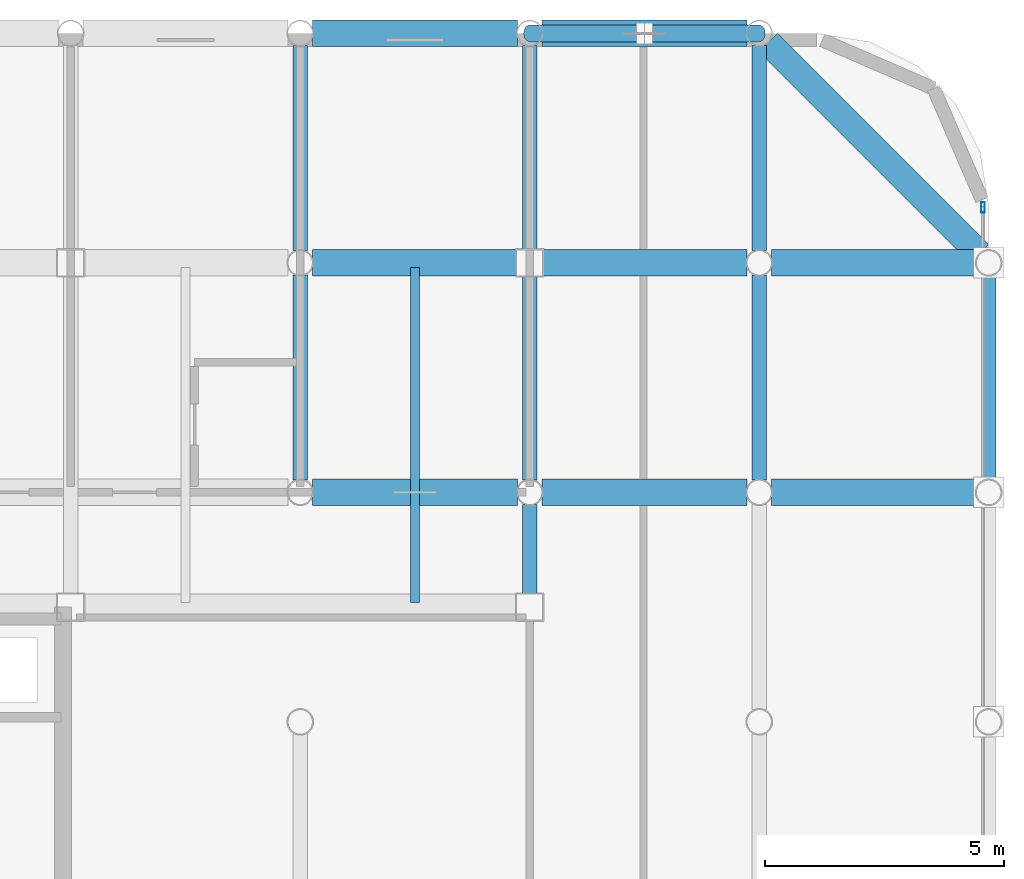
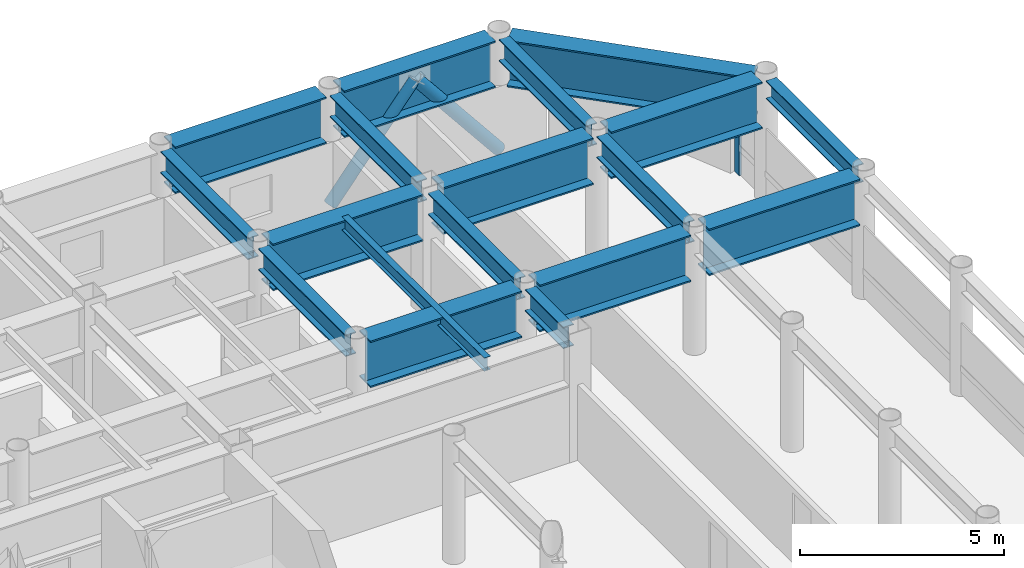
# One storey, part 15 of 22: 18 beams, 3 members, 1 element without a shape of its own.
"""IFC4 building model written with IfcOpenShell, lengths in metres."""

from ifc_helpers import new_model, si_unit, direction, frame, origin, origin_2d, place, context, subcontext, project, spatial, hollow_rectangle, hollow_circle, i_section, extrude, material, layer, layer_set, material_profile, profile_set, type_object, element, aggregate, save


model = new_model("IFC4")

# Units and contexts
model_context = context("Model", 3, precision=1e-05, world=origin(), true_north=direction((0.0, 1.0)))
body_context = subcontext(model_context, "Body", "Model", "MODEL_VIEW")
ifc_project = project(units=[si_unit("LENGTHUNIT", "METRE"), si_unit("AREAUNIT", "SQUARE_METRE"), si_unit("VOLUMEUNIT", "CUBIC_METRE"), si_unit("PLANEANGLEUNIT", "RADIAN"), si_unit("MASSUNIT", "GRAM", prefix="KILO")], contexts=[model_context])

# Site, building, storey
site_placement = place(None, origin())
site = spatial("IfcSite", under=ifc_project, at=site_placement, CompositionType="ELEMENT")
building_placement = place(site_placement, origin())
building = spatial("IfcBuilding", under=site, at=building_placement, Name="Kallvorn Hotel Tower", CompositionType="ELEMENT")
storey_placement = place(building_placement, frame((0.0, 0.0, 191.5)))
storey = spatial("IfcBuildingStorey", under=building, at=storey_placement, Name="L47", CompositionType="ELEMENT", Elevation=191.5)

# Beams
ifc_material_1 = material(Name="Structural steel S355JR", Category="steel")
ifc_material_profile_1 = material_profile(ifc_material_1, i_section(OverallWidth=0.300048828125, OverallDepth=0.550048828125, WebThickness=0.014892578125, FlangeThickness=0.029052734375, at=origin_2d()), Name="HE 550 B")
ifc_profile_set_1 = profile_set([ifc_material_profile_1], Name="Structural steel S355JR")
beam_type_1 = type_object("IfcBeamType", Name="BM_HE550B", PredefinedType="SPANDREL", material=ifc_profile_set_1)
beam_1_placement = place(storey_placement, frame((33.60009765625, 9.869384765625, 3.39501953125), z_axis=(0.0, 1.0, 0.0), x_axis=(-1.0, 0.0, 0.0)))
element("IfcBeam", 1, at=beam_1_placement, inside=storey, type_object=beam_type_1, Name="L48 Perimeter Spandrel 188", PredefinedType="SPANDREL", context=body_context, shape_type="SweptSolid", body=[
    extrude(i_section(OverallWidth=0.300048828125, OverallDepth=0.550048828125, WebThickness=0.014892578125, FlangeThickness=0.029052734375, at=origin_2d()), origin(), (0.0, 0.0, 1.0), 4.26123046875),
])
ifc_material_2 = material(Name="Structural steel S355JR", Category="steel")
ifc_material_profile_2 = material_profile(ifc_material_2, i_section(OverallWidth=0.300048828125, OverallDepth=0.64990234375, WebThickness=0.01611328125, FlangeThickness=0.031005859375, at=origin_2d()), Name="HE 650 B")
ifc_profile_set_2 = profile_set([ifc_material_profile_2], Name="Structural steel S355JR")
beam_type_2 = type_object("IfcBeamType", Name="BM_HE650B", PredefinedType="BEAM", material=ifc_profile_set_2)
for number, where, z_axis, x_axis, name in (
    (2, (19.199951171875, 9.8544921875, 3.344970703125), (0.0, 1.0, 0.0), (-1.0, 0.0, 0.0), "L48 Primary Y-Girder 133"),
    (3, (19.199951171875, 14.654541015625, 3.344970703125), (0.0, 1.0, 0.0), (-1.0, 0.0, 0.0), "L48 Primary Y-Girder 134"),
):
    element("IfcBeam", number, at=place(storey_placement, frame(where, z_axis=z_axis, x_axis=x_axis)), inside=storey, type_object=beam_type_2, Name=name, PredefinedType="BEAM", context=body_context, shape_type="SweptSolid", body=[
        extrude(i_section(OverallWidth=0.300048828125, OverallDepth=0.64990234375, WebThickness=0.01611328125, FlangeThickness=0.031005859375, at=origin_2d()), origin(), (0.0, 0.0, 1.0), 4.291015625),
    ])
beam_2_placement = place(storey_placement, frame((24.0, 7.47509765625, 3.344970703125), z_axis=(0.0, 1.0, 0.0), x_axis=(-1.0, 0.0, 0.0)))
element("IfcBeam", 4, at=beam_2_placement, inside=storey, type_object=beam_type_2, Name="L48 Primary Y-Girder 139", PredefinedType="BEAM", context=body_context, shape_type="SweptSolid", body=[
    extrude(i_section(OverallWidth=0.300048828125, OverallDepth=0.64990234375, WebThickness=0.01611328125, FlangeThickness=0.031005859375, at=origin_2d()), origin(), (0.0, 0.0, 1.0), 1.870361328125),
])
for number, where, z_axis, x_axis, name in (
    (5, (24.0, 9.8544921875, 3.344970703125), (0.0, 1.0, 0.0), (-1.0, 0.0, 0.0), "L48 Primary Y-Girder 140"),
    (6, (24.0, 14.675048828125, 3.344970703125), (0.0, 1.0, 0.0), (-1.0, 0.0, 0.0), "L48 Primary Y-Girder 141"),
):
    element("IfcBeam", number, at=place(storey_placement, frame(where, z_axis=z_axis, x_axis=x_axis)), inside=storey, type_object=beam_type_2, Name=name, PredefinedType="BEAM", context=body_context, shape_type="SweptSolid", body=[
        extrude(i_section(OverallWidth=0.300048828125, OverallDepth=0.64990234375, WebThickness=0.01611328125, FlangeThickness=0.031005859375, at=origin_2d()), origin(), (0.0, 0.0, 1.0), 4.2705078125),
    ])
for number, where, z_axis, x_axis, name in (
    (7, (28.800048828125, 9.8544921875, 3.344970703125), (0.0, 1.0, 0.0), (-1.0, 0.0, 0.0), "L48 Primary Y-Girder 149"),
    (8, (28.800048828125, 14.654541015625, 3.344970703125), (0.0, 1.0, 0.0), (-1.0, 0.0, 0.0), "L48 Primary Y-Girder 150"),
):
    element("IfcBeam", number, at=place(storey_placement, frame(where, z_axis=z_axis, x_axis=x_axis)), inside=storey, type_object=beam_type_2, Name=name, PredefinedType="BEAM", context=body_context, shape_type="SweptSolid", body=[
        extrude(i_section(OverallWidth=0.300048828125, OverallDepth=0.64990234375, WebThickness=0.01611328125, FlangeThickness=0.031005859375, at=origin_2d()), origin(), (0.0, 0.0, 1.0), 4.291015625),
    ])
ifc_material_3 = material(Name="Structural steel S355JR", Category="steel")
ifc_material_profile_3 = material_profile(ifc_material_3, i_section(OverallWidth=0.179931640625, OverallDepth=0.39990234375, WebThickness=0.008544921875, FlangeThickness=0.013427734375, at=origin_2d()), Name="IPE 400")
ifc_profile_set_3 = profile_set([ifc_material_profile_3], Name="Structural steel S355JR")
beam_type_3 = type_object("IfcBeamType", Name="BM_IPE400", PredefinedType="JOIST", material=ifc_profile_set_3)
beam_3_placement = place(storey_placement, frame((21.60009765625, 7.300048828125, 3.469970703125), z_axis=(0.0, 1.0, 0.0), x_axis=(-1.0, 0.0, 0.0)))
element("IfcBeam", 9, at=beam_3_placement, inside=storey, type_object=beam_type_3, Name="L48 Secondary Composite Joist 209", PredefinedType="JOIST", context=body_context, shape_type="SweptSolid", body=[
    extrude(i_section(OverallWidth=0.179931640625, OverallDepth=0.39990234375, WebThickness=0.008544921875, FlangeThickness=0.013427734375, at=origin_2d()), origin(), (0.0, 0.0, 1.0), 7.0),
])
ifc_material_4 = material(Name="Structural steel S355JR", Category="steel")
ifc_material_profile_4 = material_profile(ifc_material_4, i_section(OverallWidth=0.550048828125, OverallDepth=1.39990234375, WebThickness=0.02490234375, FlangeThickness=0.044921875, at=origin_2d()), Name="PG 1400x550x25x45")
ifc_profile_set_4 = profile_set([ifc_material_profile_4], Name="Structural steel S355JR")
beam_type_4 = type_object("IfcBeamType", Name="BM_PG_1400", PredefinedType="BEAM", material=ifc_profile_set_4)
for number, where, z_axis, x_axis, name in (
    (10, (19.45458984375, 9.60009765625, 2.969970703125), (1.0, 0.0, 0.0), (0.0, 1.0, 0.0), "L48 Primary X-Girder 48"),
    (11, (24.25439453125, 9.60009765625, 2.969970703125), (1.0, 0.0, 0.0), (0.0, 1.0, 0.0), "L48 Primary X-Girder 49"),
    (12, (29.054443359375, 9.60009765625, 2.969970703125), (1.0, 0.0, 0.0), (0.0, 1.0, 0.0), "L48 Primary X-Girder 50"),
):
    element("IfcBeam", number, at=place(storey_placement, frame(where, z_axis=z_axis, x_axis=x_axis)), inside=storey, type_object=beam_type_4, Name=name, PredefinedType="BEAM", context=body_context, shape_type="SweptSolid", body=[
        extrude(i_section(OverallWidth=0.550048828125, OverallDepth=1.39990234375, WebThickness=0.02490234375, FlangeThickness=0.044921875, at=origin_2d()), origin(), (0.0, 0.0, 1.0), 4.291015625),
    ])
for number, where, z_axis, x_axis, name in (
    (13, (19.45458984375, 14.39990234375, 2.969970703125), (1.0, 0.0, 0.0), (0.0, 1.0, 0.0), "L48 Primary X-Girder 58"),
    (14, (24.27490234375, 14.39990234375, 2.969970703125), (1.0, 0.0, 0.0), (0.0, 1.0, 0.0), "L48 Primary X-Girder 59"),
):
    element("IfcBeam", number, at=place(storey_placement, frame(where, z_axis=z_axis, x_axis=x_axis)), inside=storey, type_object=beam_type_4, Name=name, PredefinedType="BEAM", context=body_context, shape_type="SweptSolid", body=[
        extrude(i_section(OverallWidth=0.550048828125, OverallDepth=1.39990234375, WebThickness=0.02490234375, FlangeThickness=0.044921875, at=origin_2d()), origin(), (0.0, 0.0, 1.0), 4.2705078125),
    ])
for number, where, z_axis, x_axis, name in (
    (15, (29.054443359375, 14.39990234375, 2.969970703125), (1.0, 0.0, 0.0), (0.0, 1.0, 0.0), "L48 Primary X-Girder 60"),
    (16, (19.45458984375, 19.199951171875, 2.969970703125), (1.0, 0.0, 0.0), (0.0, 1.0, 0.0), "L48 Primary X-Girder 71"),
    (17, (24.25439453125, 19.199951171875, 2.969970703125), (1.0, 0.0, 0.0), (0.0, 1.0, 0.0), "L48 Primary X-Girder 72"),
):
    element("IfcBeam", number, at=place(storey_placement, frame(where, z_axis=z_axis, x_axis=x_axis)), inside=storey, type_object=beam_type_4, Name=name, PredefinedType="BEAM", context=body_context, shape_type="SweptSolid", body=[
        extrude(i_section(OverallWidth=0.550048828125, OverallDepth=1.39990234375, WebThickness=0.02490234375, FlangeThickness=0.044921875, at=origin_2d()), origin(), (0.0, 0.0, 1.0), 4.291015625),
    ])
beam_4_placement = place(storey_placement, frame((33.409423828125, 14.590576171875, 2.969970703125), z_axis=(-0.707106781187, 0.707106781187, 0.0), x_axis=(-0.707106781187, -0.707106781187, 0.0)))
element("IfcBeam", 18, at=beam_4_placement, inside=storey, type_object=beam_type_4, Name="L48 Rounded Corner Tie Beam 191", PredefinedType="BEAM", context=body_context, shape_type="SweptSolid", body=[
    extrude(i_section(OverallWidth=0.550048828125, OverallDepth=1.39990234375, WebThickness=0.02490234375, FlangeThickness=0.044921875, at=origin_2d()), origin(), (0.0, 0.0, 1.0), 6.249267578125),
])

# Curtain wall, member
ifc_material_5 = material(Name="Thermally broken black-anodised aluminium AA 6063-T6", Category="aluminium")
ifc_layer = layer(ifc_material_5, 0.22998046875)
ifc_layer_set = layer_set([ifc_layer], Name="CW_SYS_5_HOTEL_HIGH")
curtain_wall_type = type_object("IfcCurtainWallType", Name="CW_SYS_5_HOTEL_HIGH", PredefinedType="USERDEFINED", material=ifc_layer_set)
curtain_wall_placement = place(storey_placement, origin())
curtain_wall = element("IfcCurtainWall", 19, at=curtain_wall_placement, inside=storey, type_object=curtain_wall_type, Name="L47 Dark-Glass Curtain Wall CW-L47-EN", ObjectType="UNITISED CURTAIN WALL", PredefinedType="USERDEFINED")
ifc_material_6 = material(Name="Thermally broken black-anodised aluminium AA 6063-T6", Category="aluminium")
ifc_material_profile_5 = material_profile(ifc_material_6, hollow_rectangle(XDim=0.080078125, YDim=0.219970703125, WallThickness=0.0048828125, at=origin_2d()), Name="MUL 220x80")
ifc_profile_set_5 = profile_set([ifc_material_profile_5], Name="Thermally broken black-anodised aluminium AA 6063-T6")
member_type_1 = type_object("IfcMemberType", Name="CW_MULLION_220x80", PredefinedType="MULLION", material=ifc_profile_set_5)
member_placement = place(storey_placement, frame((33.47998046875, 15.56005859375, 0.02001953125), z_axis=(0.0, 0.0, 1.0), x_axis=(1.0, 0.0, 0.0)))
member = element("IfcMember", 20, at=member_placement, type_object=member_type_1, Name="CW-L47-EN Mullion 01", PredefinedType="MULLION", context=body_context, shape_type="SweptSolid", body=[
    extrude(hollow_rectangle(XDim=0.080078125, YDim=0.219970703125, WallThickness=0.0048828125, at=origin_2d()), origin(), (0.0, 0.0, 1.0), 2.22998046875),
])
aggregate(curtain_wall, [member])

# Members
ifc_material_7 = material(Name="Structural steel S355J2H", Category="steel")
ifc_material_profile_6 = material_profile(ifc_material_7, hollow_circle(Radius=0.177734375, WallThickness=0.01416015625, at=origin_2d()), Name="CHS 355.6x14.2")
ifc_profile_set_6 = profile_set([ifc_material_profile_6], Name="Structural steel S355J2H")
member_type_2 = type_object("IfcMemberType", Name="MBR_EXO_CHS355", PredefinedType="BRACE", material=ifc_profile_set_6)
for number, where, z_axis, x_axis, name in (
    (21, (24.012451171875, 19.199951171875, 0.195556640625), (0.627270878626, 0.0, 0.778801158722), (0.0, 1.0, 0.0), "L47 Exoskeleton K-Brace N2A"),
    (22, (28.78759765625, 19.199951171875, 0.195556640625), (-0.627270878626, 0.0, 0.778801158722), (0.0, -1.0, 0.0), "L47 Exoskeleton K-Brace N2B"),
):
    element("IfcMember", number, at=place(storey_placement, frame(where, z_axis=z_axis, x_axis=x_axis)), inside=storey, type_object=member_type_2, Name=name, PredefinedType="BRACE", context=body_context, shape_type="SweptSolid", body=[
        extrude(hollow_circle(Radius=0.177734375, WallThickness=0.01416015625, at=origin_2d()), origin(), (0.0, 0.0, 1.0), 3.7861328125),
    ])

save(model, "model.ifc")
